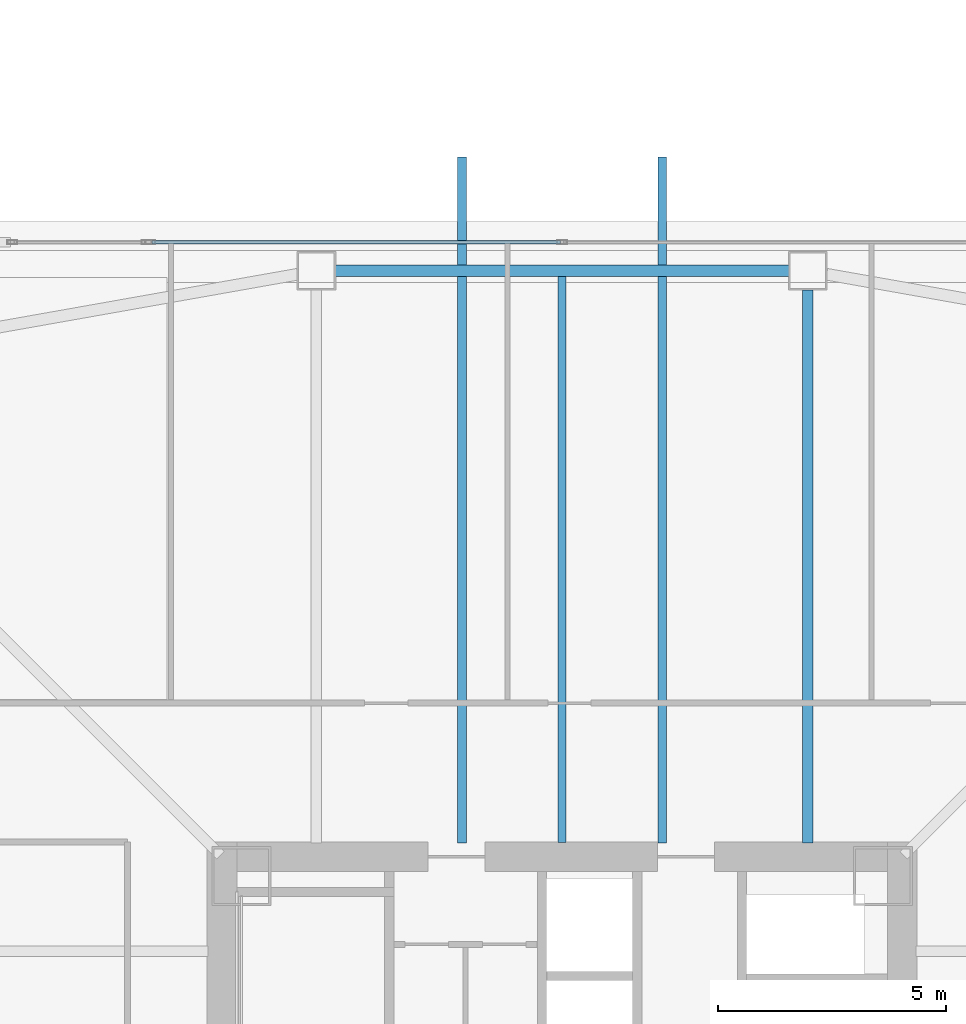
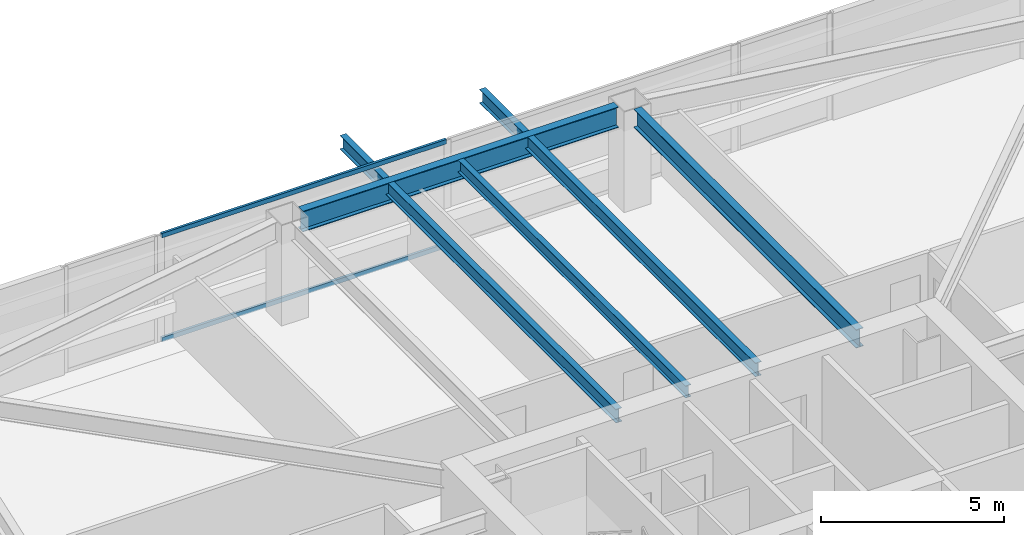
# One storey, part 14 of 44: 5 beams, 2 members, 1 element without a shape of its own.
"""IFC4 building model written with IfcOpenShell, lengths in metres."""

from ifc_helpers import new_model, si_unit, direction, frame, origin, origin_2d, place, context, subcontext, project, spatial, hollow_rectangle, i_section, extrude, material, material_profile, profile_set, type_object, element, aggregate, save


model = new_model("IFC4")

# Units and contexts
model_context = context("Model", 3, precision=1e-05, world=origin(), true_north=direction((0.0, 1.0)))
body_context = subcontext(model_context, "Body", "Model", "MODEL_VIEW")
ifc_project = project(units=[si_unit("LENGTHUNIT", "METRE"), si_unit("AREAUNIT", "SQUARE_METRE"), si_unit("VOLUMEUNIT", "CUBIC_METRE"), si_unit("PLANEANGLEUNIT", "RADIAN"), si_unit("MASSUNIT", "GRAM", prefix="KILO")], contexts=[model_context])

# Site, building, storey
site_placement = place(None, origin())
site = spatial("IfcSite", under=ifc_project, at=site_placement, CompositionType="ELEMENT")
building_placement = place(site_placement, origin())
building = spatial("IfcBuilding", under=site, at=building_placement, Name="Tashvorn Skyway Center", CompositionType="ELEMENT")
storey_placement = place(building_placement, frame((0.0, 0.0, 74.300048828125)))
storey = spatial("IfcBuildingStorey", under=building, at=storey_placement, Name="L19", CompositionType="ELEMENT", Elevation=74.300048828125)

# Beams
ifc_material_1 = material(Name="Steel ASTM A992 Grade 50", Category="steel")
ifc_material_profile_1 = material_profile(ifc_material_1, i_section(OverallWidth=0.22998046875, OverallDepth=0.616943359375, WebThickness=0.01318359375, FlangeThickness=0.022216796875, at=origin_2d()), Name="W24X94")
ifc_profile_set_1 = profile_set([ifc_material_profile_1], Name="Steel ASTM A992 Grade 50")
beam_type_1 = type_object("IfcBeamType", Name="BM-BEAM-W24X94", PredefinedType="BEAM", material=ifc_profile_set_1)
beam_1_placement = place(storey_placement, frame((47.39990234375, 51.929931640625, 3.04150390625), z_axis=(0.0, -1.0, 0.0), x_axis=(1.0, 0.0, 0.0)))
element("IfcBeam", 1, at=beam_1_placement, inside=storey, type_object=beam_type_1, Name="Tower 1 L19 Primary Floor Girder FC-N1", PredefinedType="BEAM", context=body_context, shape_type="SweptSolid", body=[
    extrude(i_section(OverallWidth=0.22998046875, OverallDepth=0.616943359375, WebThickness=0.01318359375, FlangeThickness=0.022216796875, at=origin_2d()), origin(), (0.0, 0.0, 1.0), 12.14990234375),
])
ifc_material_profile_2 = material_profile(ifc_material_1, i_section(OverallWidth=0.177978515625, OverallDepth=0.406005859375, WebThickness=0.0078125, FlangeThickness=0.0126953125, at=origin_2d()), Name="W16X40")
ifc_profile_set_2 = profile_set([ifc_material_profile_2], Name="Steel ASTM A992 Grade 50")
beam_type_2 = type_object("IfcBeamType", Name="BM-JOIST-W16X40", PredefinedType="JOIST", material=ifc_profile_set_2)
beam_2_placement = place(storey_placement, frame((42.0, 39.7900390625, 3.14697265625), z_axis=(0.0, 1.0, 0.0), x_axis=(-1.0, 0.0, 0.0)))
element("IfcBeam", 2, at=beam_2_placement, inside=storey, type_object=beam_type_2, Name="Tower 1 L19 Secondary Composite Joist JN", PredefinedType="JOIST", context=body_context, shape_type="SweptSolid", body=[
    extrude(i_section(OverallWidth=0.177978515625, OverallDepth=0.406005859375, WebThickness=0.0078125, FlangeThickness=0.0126953125, at=origin_2d()), origin(), (0.0, 0.0, 1.0), 12.43994140625),
])
ifc_material_profile_3 = material_profile(ifc_material_1, i_section(OverallWidth=0.19091796875, OverallDepth=0.4599609375, WebThickness=0.010009765625, FlangeThickness=0.01611328125, at=origin_2d()), Name="W18X55")
ifc_profile_set_3 = profile_set([ifc_material_profile_3], Name="Steel ASTM A992 Grade 50")
beam_type_3 = type_object("IfcBeamType", Name="BM-JOIST-W18X55", PredefinedType="JOIST", material=ifc_profile_set_3)
for number, where, z_axis, x_axis, name in (
    (3, (39.800048828125, 39.780029296875, 3.119873046875), (0.0, 1.0, 0.0), (-1.0, 0.0, 0.0), "Tower 1 L20 Terrace Cantilever Outlooker 1"),
    (4, (44.199951171875, 39.780029296875, 3.119873046875), (0.0, 1.0, 0.0), (-1.0, 0.0, 0.0), "Tower 1 L20 Terrace Cantilever Outlooker 2"),
):
    element("IfcBeam", number, at=place(storey_placement, frame(where, z_axis=z_axis, x_axis=x_axis)), inside=storey, type_object=beam_type_3, Name=name, PredefinedType="JOIST", context=body_context, shape_type="SweptSolid", body=[
        extrude(i_section(OverallWidth=0.19091796875, OverallDepth=0.4599609375, WebThickness=0.010009765625, FlangeThickness=0.01611328125, at=origin_2d()), origin(), (0.0, 0.0, 1.0), 15.070068359375),
    ])
ifc_material_profile_4 = material_profile(ifc_material_1, i_section(OverallWidth=0.256103515625, OverallDepth=0.693115234375, WebThickness=0.014404296875, FlangeThickness=0.023681640625, at=origin_2d()), Name="W27X114")
ifc_profile_set_4 = profile_set([ifc_material_profile_4], Name="Steel ASTM A992 Grade 50")
beam_type_4 = type_object("IfcBeamType", Name="BM-SPANDREL-W27X114", PredefinedType="SPANDREL", material=ifc_profile_set_4)
beam_3_placement = place(storey_placement, frame((46.97998046875, 52.35009765625, 3.00341796875), z_axis=(-1.0, 0.0, 0.0), x_axis=(0.0, -1.0, 0.0)))
element("IfcBeam", 5, at=beam_3_placement, inside=storey, type_object=beam_type_4, Name="Tower 1 L19 Spandrel Beam 08", PredefinedType="SPANDREL", context=body_context, shape_type="SweptSolid", body=[
    extrude(i_section(OverallWidth=0.256103515625, OverallDepth=0.693115234375, WebThickness=0.014404296875, FlangeThickness=0.023681640625, at=origin_2d()), origin(), (0.0, 0.0, 1.0), 9.9599609375),
])

# Curtain wall, members
ifc_material_2 = material(Name="Thermally broken bronze-anodized aluminium 6063-T6", Category="aluminium")
curtain_wall_type = type_object("IfcCurtainWallType", Name="CW-CW-Z2", PredefinedType="NOTDEFINED", material=ifc_material_2)
curtain_wall_placement = place(storey_placement, origin())
curtain_wall = element("IfcCurtainWall", 6, at=curtain_wall_placement, inside=storey, type_object=curtain_wall_type, Name="Tower 1 L19 North Unitised Curtain Wall Glazing Group 2", PredefinedType="NOTDEFINED")
ifc_material_profile_5 = material_profile(ifc_material_2, hollow_rectangle(XDim=0.080078125, YDim=0.14990234375, WallThickness=0.00439453125, at=origin_2d()), Name="ALU-TRAN-80x150")
ifc_profile_set_5 = profile_set([ifc_material_profile_5], Name="Thermally broken bronze-anodized aluminium 6063-T6")
member_type = type_object("IfcMemberType", Name="CWT-CW-Z2", PredefinedType="USERDEFINED", material=ifc_profile_set_5)
member_1_placement = place(storey_placement, frame((32.989990234375, 52.97998046875, 0.0400390625), z_axis=(1.0, 0.0, 0.0), x_axis=(0.0, 1.0, 0.0)))
member_1 = element("IfcMember", 7, at=member_1_placement, type_object=member_type, Name="CW-Z2 transom 1.1", ObjectType="TRANSOM", PredefinedType="USERDEFINED", context=body_context, shape_type="SweptSolid", body=[
    extrude(hollow_rectangle(XDim=0.080078125, YDim=0.14990234375, WallThickness=0.00439453125, at=origin_2d()), origin(), (0.0, 0.0, 1.0), 8.969970703125),
])
member_2_placement = place(storey_placement, frame((32.989990234375, 52.97998046875, 3.510009765625), z_axis=(1.0, 0.0, 0.0), x_axis=(0.0, 1.0, 0.0)))
member_2 = element("IfcMember", 8, at=member_2_placement, type_object=member_type, Name="CW-Z2 transom 1.2", ObjectType="TRANSOM", PredefinedType="USERDEFINED", context=body_context, shape_type="SweptSolid", body=[
    extrude(hollow_rectangle(XDim=0.080078125, YDim=0.14990234375, WallThickness=0.00439453125, at=origin_2d()), origin(), (0.0, 0.0, 1.0), 8.969970703125),
])
aggregate(curtain_wall, [member_1, member_2])

save(model, "model.ifc")
